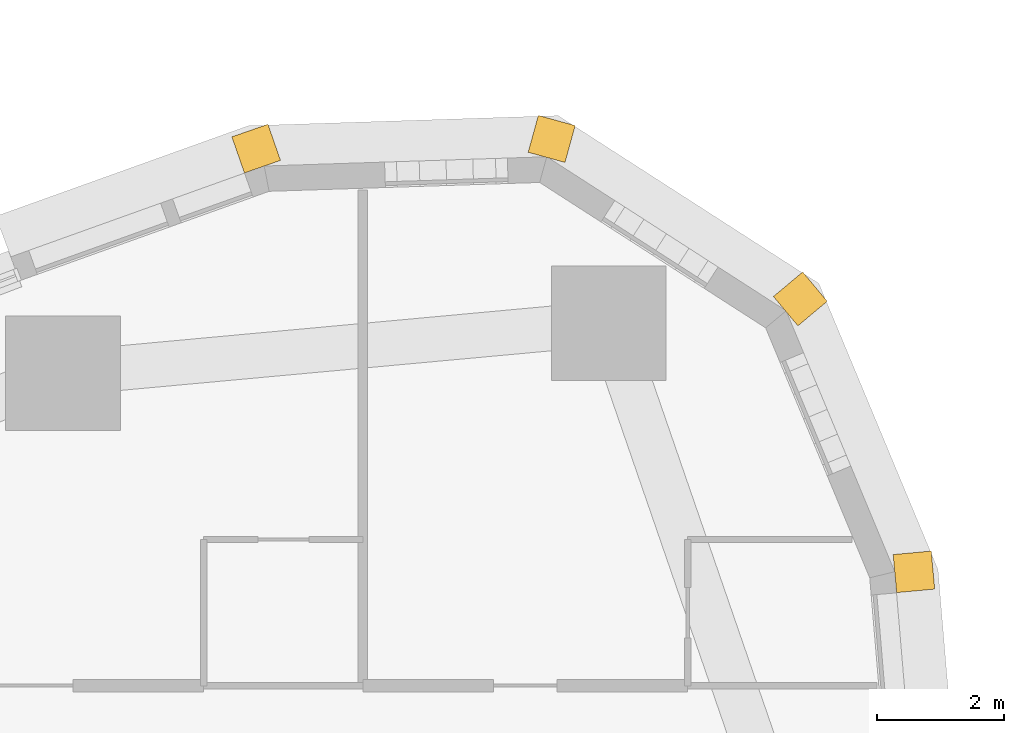
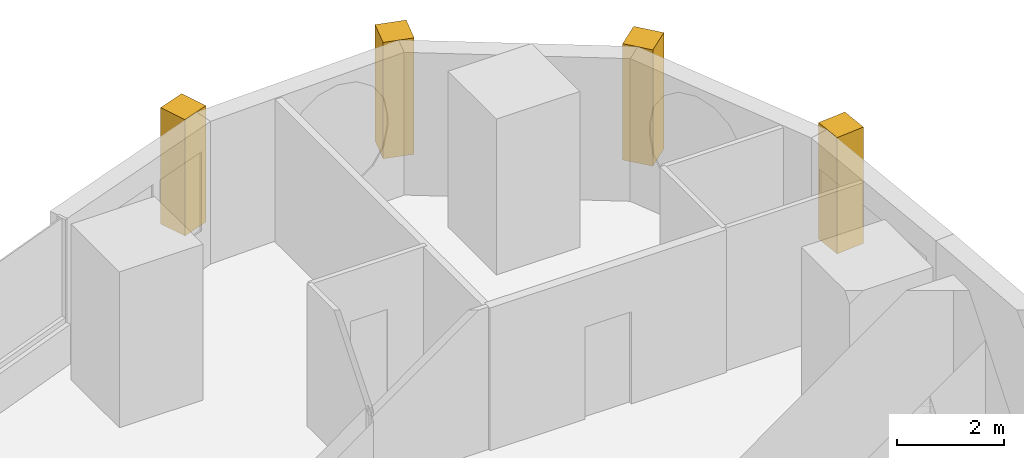
# One storey, part 19 of 19: 4 coverings.
"""IFC4 building model written with IfcOpenShell, lengths in metres."""

import ifcopenshell
import ifcopenshell.guid

model = None  # the IFC model being written
_history = None  # IfcOwnerHistory: only IFC2X3 demands one
_inside = {}  # id of a spatial element -> (the spatial element, [elements in it])
_under = {}  # id of a project, library or spatial element -> (it, [spatial elements below it])
_declared = {}  # id of a project -> (the project, [libraries it declares])
_typed = {}  # id of a type object -> (the type object, [elements of that type])
_made_of = {}  # id of a material, layer set ... -> (it, [elements and type objects made of it])


def new_model(schema):
    """Start an empty IFC model of exactly this schema.

    Asked for "IFC4X3", IfcOpenShell would pick the latest addendum, in which some entities
    have other attributes; the version numbers below select the first issue.
    IFC2X3 requires an IfcOwnerHistory on every rooted entity: one is made here for all.
    """
    global model, _history
    if schema == "IFC4X3":
        model = ifcopenshell.file(schema_version=(4, 3, 0, 0))
    else:
        model = ifcopenshell.file(schema=schema)
    _inside.clear()
    _under.clear()
    _declared.clear()
    _typed.clear()
    _made_of.clear()
    _history = None
    if model.schema == "IFC2X3":
        org = make("IfcOrganization", Name="unknown")
        user = make(
            "IfcPersonAndOrganization",
            ThePerson=make("IfcPerson", FamilyName="unknown"),
            TheOrganization=org,
        )
        app = make(
            "IfcApplication",
            ApplicationDeveloper=org,
            Version="unknown",
            ApplicationFullName="unknown",
            ApplicationIdentifier="unknown",
        )
        _history = make(
            "IfcOwnerHistory",
            OwningUser=user,
            OwningApplication=app,
            ChangeAction="ADDED",
            CreationDate=0,
        )
    return model


def make(cls, **values):
    """One entity of the class cls with the attributes given. An attribute that is None is left unset."""
    return model.create_entity(
        cls, **{name: value for name, value in values.items() if value is not None}
    )


def rooted(cls, **values):
    """An entity with a GlobalId (a new one), such as an element, a storey or a relation."""
    return make(cls, GlobalId=ifcopenshell.guid.new(), OwnerHistory=_history, **values)


def si_unit(unit_type, name, prefix=None):
    """IfcSIUnit, for example si_unit("LENGTHUNIT", "METRE", prefix="MILLI")."""
    return make("IfcSIUnit", UnitType=unit_type, Prefix=prefix, Name=name)


def assignment(units):
    """IfcUnitAssignment: the units of a project."""
    return None if units is None else make("IfcUnitAssignment", Units=units)


def point(xyz):
    """IfcCartesianPoint."""
    return None if xyz is None else make("IfcCartesianPoint", Coordinates=xyz)


def direction(xyz):
    """IfcDirection."""
    return None if xyz is None else make("IfcDirection", DirectionRatios=xyz)


def frame(location, z_axis=None, x_axis=None):
    """IfcAxis2Placement3D, a coordinate frame: its origin and axes. An axis left out is left unset."""
    return make(
        "IfcAxis2Placement3D",
        Location=point(location),
        Axis=direction(z_axis),
        RefDirection=direction(x_axis),
    )


def frame_2d(location, x_axis=None):
    """IfcAxis2Placement2D, a coordinate frame in the plane: its origin and x axis."""
    return make(
        "IfcAxis2Placement2D", Location=point(location), RefDirection=direction(x_axis)
    )


def origin():
    """The frame at (0, 0, 0) with its axes left unset."""
    return frame((0.0, 0.0, 0.0))


def place(relative_to, where):
    """IfcLocalPlacement: puts the frame where relative to a parent placement (None: the world)."""
    return make(
        "IfcLocalPlacement", PlacementRelTo=relative_to, RelativePlacement=where
    )


def context(
    kind, dimensions, precision=None, world=None, true_north=None, identifier=None
):
    """IfcGeometricRepresentationContext, for example the 3D "Model" context."""
    return make(
        "IfcGeometricRepresentationContext",
        ContextIdentifier=identifier,
        ContextType=kind,
        CoordinateSpaceDimension=dimensions,
        Precision=precision,
        WorldCoordinateSystem=world,
        TrueNorth=true_north,
    )


def subcontext(parent, identifier, kind, view, scale=None):
    """IfcGeometricRepresentationSubContext, for example "Body" below "Model"."""
    return make(
        "IfcGeometricRepresentationSubContext",
        ContextIdentifier=identifier,
        ContextType=kind,
        ParentContext=parent,
        TargetScale=scale,
        TargetView=view,
    )


def project(units=None, contexts=None):
    """IfcProject with its units and contexts."""
    return rooted(
        "IfcProject",
        Name="project",
        RepresentationContexts=contexts,
        UnitsInContext=assignment(units),
    )


def spatial(cls, under=None, at=None, **own):
    """A site, building, storey or space (cls), placed at a placement, below another one or the project."""
    s = rooted(cls, ObjectPlacement=at, **own)
    if under is not None:
        _under.setdefault(under.id(), (under, []))[1].append(s)
    return s


def profile(cls, at=None, kind="AREA", **sizes):
    """A parametric profile (cls). Its sizes go by their IFC names, for example OverallWidth=200.0."""
    return make(cls, ProfileType=kind, Position=at, **sizes)


def rectangle(**sizes):
    """IfcRectangleProfileDef."""
    return profile("IfcRectangleProfileDef", **sizes)


def extrude(swept, where, along, depth):
    """IfcExtrudedAreaSolid: the profile swept, set in the frame where, extruded along a direction by depth."""
    return make(
        "IfcExtrudedAreaSolid",
        SweptArea=swept,
        Position=where,
        ExtrudedDirection=direction(along),
        Depth=depth,
    )


def shape(context_of_items, identifier, shape_type, items):
    """IfcShapeRepresentation: the items that make up one representation, for example the "Body"."""
    return make(
        "IfcShapeRepresentation",
        ContextOfItems=context_of_items,
        RepresentationIdentifier=identifier,
        RepresentationType=shape_type,
        Items=items,
    )


def material(Name=None, Category=None):
    """IfcMaterial."""
    return make("IfcMaterial", Name=Name, Category=Category)


def layer(
    of_material, thickness, ventilated=None, Name=None, Category=None, Priority=None
):
    """IfcMaterialLayer: one layer of a wall or slab, of a material (None: an air gap)."""
    return make(
        "IfcMaterialLayer",
        Material=of_material,
        LayerThickness=thickness,
        IsVentilated=ventilated,
        Name=Name,
        Category=Category,
        Priority=Priority,
    )


def layer_set(layers, Name=None):
    """IfcMaterialLayerSet."""
    return make("IfcMaterialLayerSet", MaterialLayers=layers, LayerSetName=Name)


def made_of(thing, what):
    """Note that an element or type object is made of a material, layer set ...; save() writes the relation."""
    if what is not None:
        _made_of.setdefault(what.id(), (what, []))[1].append(thing)
    return thing


def type_object(cls, material=None, **own):
    """A type object (cls), such as IfcWallType, which elements share."""
    return made_of(rooted(cls, **own), material)


def element(
    cls,
    number,
    at=None,
    inside=None,
    cuts=None,
    type_object=None,
    material=None,
    context=None,
    identifier="Body",
    shape_type=None,
    held_by="IfcProductDefinitionShape",
    body=None,
    shapes=None,
    **own,
):
    """One element of the class cls, such as IfcWall. Its Tag is "e" and its number.

    at: its placement. inside: the storey or other place that contains it. cuts: it is an
    opening in that element (IfcRelVoidsElement). A single representation is given by context,
    identifier, shape_type and body (its items); several are given by shapes. held_by: the class
    of the entity that holds the representations. save() writes the other relations.
    """
    e = rooted(cls, Tag="e%d" % number, ObjectPlacement=at, **own)
    if body is not None:
        shapes = [shape(context, identifier, shape_type, body)]
    if shapes is not None:
        e.Representation = make(held_by, Representations=shapes)
    if inside is not None:
        _inside.setdefault(inside.id(), (inside, []))[1].append(e)
    if cuts is not None:
        rooted(
            "IfcRelVoidsElement", RelatingBuildingElement=cuts, RelatedOpeningElement=e
        )
    if type_object is not None:
        _typed.setdefault(type_object.id(), (type_object, []))[1].append(e)
    return made_of(e, material)


def aggregate(whole, parts):
    """IfcRelAggregates: a whole, such as a stair, and the parts it consists of."""
    return rooted("IfcRelAggregates", RelatingObject=whole, RelatedObjects=parts)


def save(model, path):
    """Write the relations noted so far, then the file.

    IfcRelAggregates (storeys below a building ...), IfcRelContainedInSpatialStructure (elements
    in a storey), IfcRelDefinesByType, IfcRelAssociatesMaterial and IfcRelDeclares: one each for
    every whole, place, type object, material and project.
    """
    for whole, parts in _under.values():
        aggregate(whole, parts)
    for where, things in _inside.values():
        rooted(
            "IfcRelContainedInSpatialStructure",
            RelatedElements=things,
            RelatingStructure=where,
        )
    for kind, things in _typed.values():
        rooted("IfcRelDefinesByType", RelatedObjects=things, RelatingType=kind)
    for what, things in _made_of.values():
        rooted("IfcRelAssociatesMaterial", RelatedObjects=things, RelatingMaterial=what)
    for by, libraries in _declared.values():
        rooted("IfcRelDeclares", RelatingContext=by, RelatedDefinitions=libraries)
    model.write(path)


model = new_model("IFC4")

# Units and contexts
model_context = context("Model", 3, precision=1e-05, world=origin(), true_north=direction((0.0, 1.0)))
body_context = subcontext(model_context, "Body", "Model", "MODEL_VIEW")
ifc_project = project(units=[si_unit("LENGTHUNIT", "METRE"), si_unit("AREAUNIT", "SQUARE_METRE"), si_unit("VOLUMEUNIT", "CUBIC_METRE"), si_unit("PLANEANGLEUNIT", "RADIAN"), si_unit("MASSUNIT", "GRAM", prefix="KILO")], contexts=[model_context])

# Site, building, storey
site_placement = place(None, origin())
site = spatial("IfcSite", under=ifc_project, at=site_placement, CompositionType="ELEMENT")
building_placement = place(site_placement, origin())
building = spatial("IfcBuilding", under=site, at=building_placement, Name="Ostrand Prow Hotel Tower", CompositionType="ELEMENT")
storey_placement = place(building_placement, frame((0.0, 0.0, 50.25)))
storey = spatial("IfcBuildingStorey", under=building, at=storey_placement, Name="L10", CompositionType="ELEMENT", Elevation=50.25)

# Coverings
ifc_material = material(Name="Limestone cladding", Category="masonry")
ifc_layer = layer(ifc_material, 0.60009765625)
ifc_layer_set = layer_set([ifc_layer], Name="Limestone cladding")
covering_type = type_object("IfcCoveringType", Name="Precast stone prow rib 600x600", PredefinedType="CLADDING", material=ifc_layer_set)
for number, where, z_axis, x_axis, name in (
    (1, (65.4580078125, 22.564453125, 0.60009765625), (0.0, 0.0, 1.0), (0.995724747837, 0.09237005221, 0.0), "Stone corner rib 16a"),
    (2, (63.74169921875, 26.6865234375, 0.60009765625), (0.0, 0.0, 1.0), (0.766985844654, 0.641664019639, 0.0), "Stone corner rib 17a"),
    (3, (59.98681640625, 29.1025390625, 0.60009765625), (0.0, 0.0, 1.0), (0.266111535611, 0.963942244439, 0.0), "Stone corner rib 18a"),
    (4, (55.524169921875, 28.956298828125, 0.60009765625), (0.0, 0.0, 1.0), (-0.328773122904, 0.94440893349, 0.0), "Stone corner rib 18b"),
):
    element("IfcCovering", number, at=place(storey_placement, frame(where, z_axis=z_axis, x_axis=x_axis)), inside=storey, type_object=covering_type, Name=name, PredefinedType="CLADDING", context=body_context, shape_type="SweptSolid", body=[
        extrude(rectangle(XDim=0.60009765625, YDim=0.60009765625, at=frame_2d((0.300048828125, 0.0))), origin(), (0.0, 0.0, 1.0), 2.64990234375),
    ])

save(model, "model.ifc")
